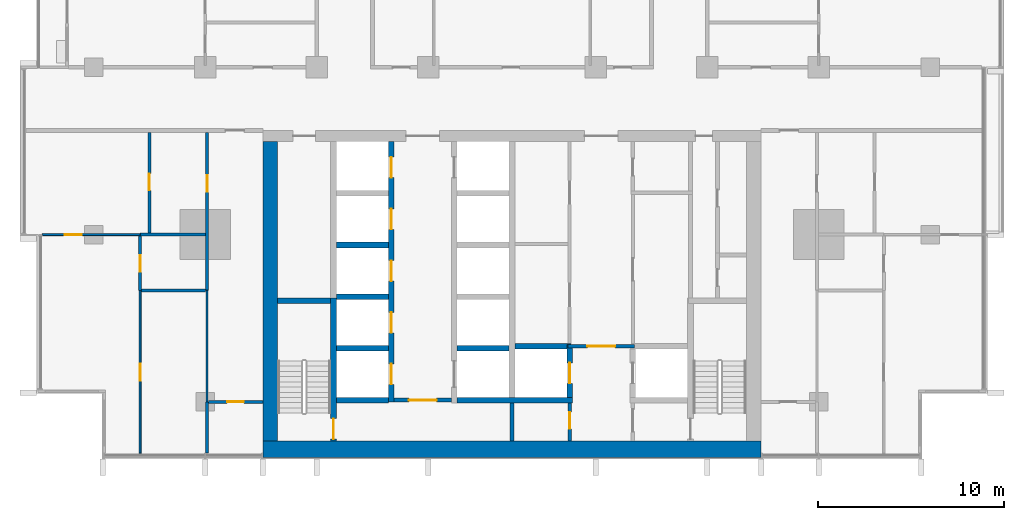
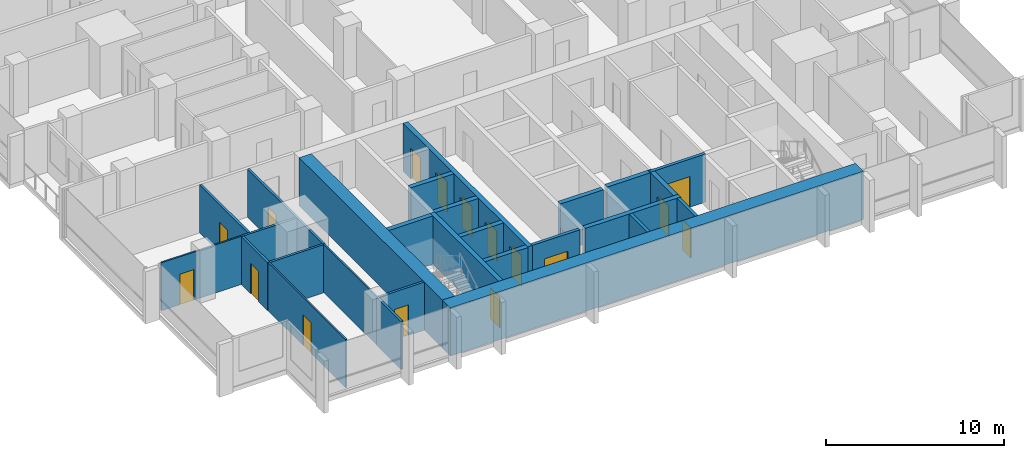
# One storey, part 7 of 17: 27 walls, 16 doors, 16 openings.
"""IFC4 building model written with IfcOpenShell, lengths in metres."""

import ifcopenshell
import ifcopenshell.guid

model = None  # the IFC model being written
_history = None  # IfcOwnerHistory: only IFC2X3 demands one
_inside = {}  # id of a spatial element -> (the spatial element, [elements in it])
_under = {}  # id of a project, library or spatial element -> (it, [spatial elements below it])
_declared = {}  # id of a project -> (the project, [libraries it declares])
_typed = {}  # id of a type object -> (the type object, [elements of that type])
_made_of = {}  # id of a material, layer set ... -> (it, [elements and type objects made of it])


def new_model(schema):
    """Start an empty IFC model of exactly this schema.

    Asked for "IFC4X3", IfcOpenShell would pick the latest addendum, in which some entities
    have other attributes; the version numbers below select the first issue.
    IFC2X3 requires an IfcOwnerHistory on every rooted entity: one is made here for all.
    """
    global model, _history
    if schema == "IFC4X3":
        model = ifcopenshell.file(schema_version=(4, 3, 0, 0))
    else:
        model = ifcopenshell.file(schema=schema)
    _inside.clear()
    _under.clear()
    _declared.clear()
    _typed.clear()
    _made_of.clear()
    _history = None
    if model.schema == "IFC2X3":
        org = make("IfcOrganization", Name="unknown")
        user = make(
            "IfcPersonAndOrganization",
            ThePerson=make("IfcPerson", FamilyName="unknown"),
            TheOrganization=org,
        )
        app = make(
            "IfcApplication",
            ApplicationDeveloper=org,
            Version="unknown",
            ApplicationFullName="unknown",
            ApplicationIdentifier="unknown",
        )
        _history = make(
            "IfcOwnerHistory",
            OwningUser=user,
            OwningApplication=app,
            ChangeAction="ADDED",
            CreationDate=0,
        )
    return model


def make(cls, **values):
    """One entity of the class cls with the attributes given. An attribute that is None is left unset."""
    return model.create_entity(
        cls, **{name: value for name, value in values.items() if value is not None}
    )


def rooted(cls, **values):
    """An entity with a GlobalId (a new one), such as an element, a storey or a relation."""
    return make(cls, GlobalId=ifcopenshell.guid.new(), OwnerHistory=_history, **values)


def si_unit(unit_type, name, prefix=None):
    """IfcSIUnit, for example si_unit("LENGTHUNIT", "METRE", prefix="MILLI")."""
    return make("IfcSIUnit", UnitType=unit_type, Prefix=prefix, Name=name)


def assignment(units):
    """IfcUnitAssignment: the units of a project."""
    return None if units is None else make("IfcUnitAssignment", Units=units)


def point(xyz):
    """IfcCartesianPoint."""
    return None if xyz is None else make("IfcCartesianPoint", Coordinates=xyz)


def direction(xyz):
    """IfcDirection."""
    return None if xyz is None else make("IfcDirection", DirectionRatios=xyz)


def frame(location, z_axis=None, x_axis=None):
    """IfcAxis2Placement3D, a coordinate frame: its origin and axes. An axis left out is left unset."""
    return make(
        "IfcAxis2Placement3D",
        Location=point(location),
        Axis=direction(z_axis),
        RefDirection=direction(x_axis),
    )


def frame_2d(location, x_axis=None):
    """IfcAxis2Placement2D, a coordinate frame in the plane: its origin and x axis."""
    return make(
        "IfcAxis2Placement2D", Location=point(location), RefDirection=direction(x_axis)
    )


def origin():
    """The frame at (0, 0, 0) with its axes left unset."""
    return frame((0.0, 0.0, 0.0))


def place(relative_to, where):
    """IfcLocalPlacement: puts the frame where relative to a parent placement (None: the world)."""
    return make(
        "IfcLocalPlacement", PlacementRelTo=relative_to, RelativePlacement=where
    )


def context(
    kind, dimensions, precision=None, world=None, true_north=None, identifier=None
):
    """IfcGeometricRepresentationContext, for example the 3D "Model" context."""
    return make(
        "IfcGeometricRepresentationContext",
        ContextIdentifier=identifier,
        ContextType=kind,
        CoordinateSpaceDimension=dimensions,
        Precision=precision,
        WorldCoordinateSystem=world,
        TrueNorth=true_north,
    )


def subcontext(parent, identifier, kind, view, scale=None):
    """IfcGeometricRepresentationSubContext, for example "Body" below "Model"."""
    return make(
        "IfcGeometricRepresentationSubContext",
        ContextIdentifier=identifier,
        ContextType=kind,
        ParentContext=parent,
        TargetScale=scale,
        TargetView=view,
    )


def project(units=None, contexts=None):
    """IfcProject with its units and contexts."""
    return rooted(
        "IfcProject",
        Name="project",
        RepresentationContexts=contexts,
        UnitsInContext=assignment(units),
    )


def spatial(cls, under=None, at=None, **own):
    """A site, building, storey or space (cls), placed at a placement, below another one or the project."""
    s = rooted(cls, ObjectPlacement=at, **own)
    if under is not None:
        _under.setdefault(under.id(), (under, []))[1].append(s)
    return s


def profile(cls, at=None, kind="AREA", **sizes):
    """A parametric profile (cls). Its sizes go by their IFC names, for example OverallWidth=200.0."""
    return make(cls, ProfileType=kind, Position=at, **sizes)


def rectangle(**sizes):
    """IfcRectangleProfileDef."""
    return profile("IfcRectangleProfileDef", **sizes)


def extrude(swept, where, along, depth):
    """IfcExtrudedAreaSolid: the profile swept, set in the frame where, extruded along a direction by depth."""
    return make(
        "IfcExtrudedAreaSolid",
        SweptArea=swept,
        Position=where,
        ExtrudedDirection=direction(along),
        Depth=depth,
    )


def shape(context_of_items, identifier, shape_type, items):
    """IfcShapeRepresentation: the items that make up one representation, for example the "Body"."""
    return make(
        "IfcShapeRepresentation",
        ContextOfItems=context_of_items,
        RepresentationIdentifier=identifier,
        RepresentationType=shape_type,
        Items=items,
    )


def material(Name=None, Category=None):
    """IfcMaterial."""
    return make("IfcMaterial", Name=Name, Category=Category)


def layer(
    of_material, thickness, ventilated=None, Name=None, Category=None, Priority=None
):
    """IfcMaterialLayer: one layer of a wall or slab, of a material (None: an air gap)."""
    return make(
        "IfcMaterialLayer",
        Material=of_material,
        LayerThickness=thickness,
        IsVentilated=ventilated,
        Name=Name,
        Category=Category,
        Priority=Priority,
    )


def layer_set(layers, Name=None):
    """IfcMaterialLayerSet."""
    return make("IfcMaterialLayerSet", MaterialLayers=layers, LayerSetName=Name)


def made_of(thing, what):
    """Note that an element or type object is made of a material, layer set ...; save() writes the relation."""
    if what is not None:
        _made_of.setdefault(what.id(), (what, []))[1].append(thing)
    return thing


def type_object(cls, material=None, **own):
    """A type object (cls), such as IfcWallType, which elements share."""
    return made_of(rooted(cls, **own), material)


def element(
    cls,
    number,
    at=None,
    inside=None,
    cuts=None,
    type_object=None,
    material=None,
    context=None,
    identifier="Body",
    shape_type=None,
    held_by="IfcProductDefinitionShape",
    body=None,
    shapes=None,
    **own,
):
    """One element of the class cls, such as IfcWall. Its Tag is "e" and its number.

    at: its placement. inside: the storey or other place that contains it. cuts: it is an
    opening in that element (IfcRelVoidsElement). A single representation is given by context,
    identifier, shape_type and body (its items); several are given by shapes. held_by: the class
    of the entity that holds the representations. save() writes the other relations.
    """
    e = rooted(cls, Tag="e%d" % number, ObjectPlacement=at, **own)
    if body is not None:
        shapes = [shape(context, identifier, shape_type, body)]
    if shapes is not None:
        e.Representation = make(held_by, Representations=shapes)
    if inside is not None:
        _inside.setdefault(inside.id(), (inside, []))[1].append(e)
    if cuts is not None:
        rooted(
            "IfcRelVoidsElement", RelatingBuildingElement=cuts, RelatedOpeningElement=e
        )
    if type_object is not None:
        _typed.setdefault(type_object.id(), (type_object, []))[1].append(e)
    return made_of(e, material)


def fill(opening, filler):
    """IfcRelFillsElement: the door or window that sits in an opening."""
    return rooted(
        "IfcRelFillsElement",
        RelatingOpeningElement=opening,
        RelatedBuildingElement=filler,
    )


def aggregate(whole, parts):
    """IfcRelAggregates: a whole, such as a stair, and the parts it consists of."""
    return rooted("IfcRelAggregates", RelatingObject=whole, RelatedObjects=parts)


def save(model, path):
    """Write the relations noted so far, then the file.

    IfcRelAggregates (storeys below a building ...), IfcRelContainedInSpatialStructure (elements
    in a storey), IfcRelDefinesByType, IfcRelAssociatesMaterial and IfcRelDeclares: one each for
    every whole, place, type object, material and project.
    """
    for whole, parts in _under.values():
        aggregate(whole, parts)
    for where, things in _inside.values():
        rooted(
            "IfcRelContainedInSpatialStructure",
            RelatedElements=things,
            RelatingStructure=where,
        )
    for kind, things in _typed.values():
        rooted("IfcRelDefinesByType", RelatedObjects=things, RelatingType=kind)
    for what, things in _made_of.values():
        rooted("IfcRelAssociatesMaterial", RelatedObjects=things, RelatingMaterial=what)
    for by, libraries in _declared.values():
        rooted("IfcRelDeclares", RelatingContext=by, RelatedDefinitions=libraries)
    model.write(path)


model = new_model("IFC4")

# Units and contexts
model_context = context("Model", 3, precision=1e-05, world=origin(), true_north=direction((0.0, 1.0)))
body_context = subcontext(model_context, "Body", "Model", "MODEL_VIEW")
ifc_project = project(units=[si_unit("LENGTHUNIT", "METRE"), si_unit("AREAUNIT", "SQUARE_METRE"), si_unit("VOLUMEUNIT", "CUBIC_METRE"), si_unit("PLANEANGLEUNIT", "RADIAN"), si_unit("MASSUNIT", "GRAM", prefix="KILO")], contexts=[model_context])

# Site, building, storey
site_placement = place(None, origin())
site = spatial("IfcSite", under=ifc_project, at=site_placement, CompositionType="ELEMENT")
building_placement = place(site_placement, origin())
building = spatial("IfcBuilding", under=site, at=building_placement, Name="Finial Court Residences", CompositionType="ELEMENT")
storey_placement = place(building_placement, frame((0.0, 0.0, 113.5)))
storey = spatial("IfcBuildingStorey", under=building, at=storey_placement, Name="L28", CompositionType="ELEMENT", Elevation=113.5)

# Walls
ifc_material_1 = material(Name="Concrete C70/85", Category="concrete")
ifc_layer_1 = layer(ifc_material_1, 0.800048828125)
ifc_layer_set_1 = layer_set([ifc_layer_1], Name="Core outer wall 800 Concrete C70/85")
wall_type_1 = type_object("IfcWallType", Name="Core outer wall 800 Concrete C70/85", PredefinedType="SHEAR", material=ifc_layer_set_1)
wall_1_placement = place(storey_placement, frame((-13.0, -24.60009765625, 0.0), z_axis=(0.0, 0.0, 1.0), x_axis=(0.0, 1.0, 0.0)))
element("IfcWall", 1, at=wall_1_placement, inside=storey, type_object=wall_type_1, Name="Core outer wall L28-03", PredefinedType="SHEAR", context=body_context, shape_type="SweptSolid", body=[
    extrude(rectangle(XDim=16.10009765625, YDim=0.800048828125, at=frame_2d((8.050048828125, 0.0))), origin(), (0.0, 0.0, 1.0), 3.300048828125),
])
ifc_layer_2 = layer(ifc_material_1, 0.89990234375)
ifc_layer_set_2 = layer_set([ifc_layer_2], Name="Core south facade wall 900 Concrete C70/85")
wall_type_2 = type_object("IfcWallType", Name="Core south facade wall 900 Concrete C70/85", PredefinedType="SHEAR", material=ifc_layer_set_2)
wall_2_placement = place(storey_placement, frame((-13.39990234375, -25.050048828125, 0.0), z_axis=(0.0, 0.0, 1.0), x_axis=(1.0, 0.0, 0.0)))
element("IfcWall", 2, at=wall_2_placement, inside=storey, type_object=wall_type_2, Name="Core outer wall L28-01", PredefinedType="SHEAR", context=body_context, shape_type="SweptSolid", body=[
    extrude(rectangle(XDim=26.7998046875, YDim=0.89990234375, at=frame_2d((13.39990234375, 0.0))), origin(), (0.0, 0.0, 1.0), 3.300048828125),
])

# Wall, opening, door
ifc_material_2 = material(Name="Fire-rated gypsum board partition")
ifc_layer_3 = layer(ifc_material_2, 0.199951171875)
ifc_layer_set_3 = layer_set([ifc_layer_3], Name="Firefighting lobby wall 200 EI 120")
wall_type_3 = type_object("IfcWallType", Name="Firefighting lobby wall 200 EI 120", PredefinedType="PARTITIONING", material=ifc_layer_set_3)
wall_3_placement = place(storey_placement, frame((6.574951171875, -19.5, 0.0), z_axis=(0.0, 0.0, 1.0), x_axis=(-1.0, 0.0, 0.0)))
wall_3 = element("IfcWall", 3, at=wall_3_placement, inside=storey, type_object=wall_type_3, Name="Core partition L28-08", PredefinedType="PARTITIONING", context=body_context, shape_type="SweptSolid", body=[
    extrude(rectangle(XDim=3.550048828125, YDim=0.199951171875, at=frame_2d((1.77490234375, 0.0))), origin(), (0.0, 0.0, 1.0), 3.300048828125),
])
opening_1_placement = place(wall_3_placement, frame((1.02490234375, 0.0, 0.0)))
opening_1 = element("IfcOpeningElement", 4, at=opening_1_placement, cuts=wall_3, Name="Opening L28-C02", PredefinedType="OPENING", context=body_context, shape_type="SweptSolid", body=[
    extrude(rectangle(XDim=1.5, YDim=2.10009765625, at=frame_2d((0.75, 1.050048828125))), frame((0.0, 0.10986328125, 0.0), z_axis=(0.0, -1.0, 0.0), x_axis=(1.0, 0.0, 0.0)), (0.0, 0.0, 1.0), 0.219970703125),
])
ifc_material_3 = material(Name="Steel fire door", Category="steel")
door_type_1 = type_object("IfcDoorType", Name="Firefighting lobby door 1500 x 2100 EI 90", OperationType="DOUBLE_DOOR_SINGLE_SWING", PredefinedType="DOOR", material=ifc_material_3)
door_1_placement = place(opening_1_placement, origin())
door_1 = element("IfcDoor", 5, at=door_1_placement, inside=storey, type_object=door_type_1, Name="Firefighting lobby door L28-C02", OperationType="DOUBLE_DOOR_SINGLE_SWING", OverallHeight=2.10009765625, OverallWidth=1.5, PredefinedType="DOOR", context=body_context, shape_type="SweptSolid", body=[
    extrude(rectangle(XDim=1.5, YDim=2.10009765625, at=frame_2d((0.75, 1.050048828125))), frame((0.0, 0.02490234375, 0.0), z_axis=(0.0, -1.0, 0.0), x_axis=(1.0, 0.0, 0.0)), (0.0, 0.0, 1.0), 0.050048828125),
])
fill(opening_1, door_1)

wall_4_placement = place(storey_placement, frame((3.10009765625, -24.60009765625, 0.0), z_axis=(0.0, 0.0, 1.0), x_axis=(0.0, 1.0, 0.0)))
wall_4 = element("IfcWall", 6, at=wall_4_placement, inside=storey, type_object=wall_type_3, Name="Core partition L28-27", PredefinedType="PARTITIONING", context=body_context, shape_type="SweptSolid", body=[
    extrude(rectangle(XDim=2.050048828125, YDim=0.199951171875, at=frame_2d((1.02490234375, 0.0))), origin(), (0.0, 0.0, 1.0), 3.300048828125),
])
opening_2_placement = place(wall_4_placement, frame((0.64990234375, 0.0, 0.0)))
opening_2 = element("IfcOpeningElement", 7, at=opening_2_placement, cuts=wall_4, Name="Opening L28-C06", PredefinedType="OPENING", context=body_context, shape_type="SweptSolid", body=[
    extrude(rectangle(XDim=0.89990234375, YDim=2.10009765625, at=frame_2d((0.449951171875, 1.050048828125))), frame((0.0, 0.10986328125, 0.0), z_axis=(0.0, -1.0, 0.0), x_axis=(1.0, 0.0, 0.0)), (0.0, 0.0, 1.0), 0.219970703125),
])
door_type_2 = type_object("IfcDoorType", Name="Riser room door 900 x 2100 EI 90", OperationType="NOTDEFINED", PredefinedType="DOOR", material=ifc_material_3)
door_2_placement = place(opening_2_placement, origin())
door_2 = element("IfcDoor", 8, at=door_2_placement, inside=storey, type_object=door_type_2, Name="Riser room door L28-C06", OperationType="SINGLE_SWING_LEFT", OverallHeight=2.10009765625, OverallWidth=0.89990234375, PredefinedType="DOOR", context=body_context, shape_type="SweptSolid", body=[
    extrude(rectangle(XDim=0.89990234375, YDim=2.10009765625, at=frame_2d((0.449951171875, 1.050048828125))), frame((0.0, 0.02490234375, 0.0), z_axis=(0.0, -1.0, 0.0), x_axis=(1.0, 0.0, 0.0)), (0.0, 0.0, 1.0), 0.050048828125),
])
fill(opening_2, door_2)

ifc_material_4 = material(Name="Gypsum board")
ifc_layer_4 = layer(ifc_material_4, 0.012451171875)
ifc_material_5 = material(Name="Mineral wool in light-gauge frame")
ifc_layer_5 = layer(ifc_material_5, 0.074951171875)
ifc_layer_6 = layer(ifc_material_4, 0.012451171875)
ifc_layer_set_4 = layer_set([ifc_layer_4, ifc_layer_5, ifc_layer_6], Name="Gypsum board partition 100")
wall_type_4 = type_object("IfcWallType", Name="Gypsum board partition 100", PredefinedType="PARTITIONING", material=ifc_layer_set_4)
wall_5_placement = place(storey_placement, frame((-25.25, -13.5, 0.0), z_axis=(0.0, 0.0, 1.0), x_axis=(1.0, 0.0, 0.0)))
wall_5 = element("IfcWall", 9, at=wall_5_placement, inside=storey, type_object=wall_type_4, Name="Partition L28-004", PredefinedType="PARTITIONING", context=body_context, shape_type="SweptSolid", body=[
    extrude(rectangle(XDim=5.25, YDim=0.10009765625, at=frame_2d((2.625, 0.0))), origin(), (0.0, 0.0, 1.0), 3.300048828125),
])
opening_3_placement = place(wall_5_placement, frame((1.199951171875, 0.0, 0.0)))
opening_3 = element("IfcOpeningElement", 10, at=opening_3_placement, cuts=wall_5, Name="Opening L28-D003", PredefinedType="OPENING", context=body_context, shape_type="SweptSolid", body=[
    extrude(rectangle(XDim=0.89990234375, YDim=2.10009765625, at=frame_2d((0.449951171875, 1.050048828125))), frame((0.0, 0.06005859375, 0.0), z_axis=(0.0, -1.0, 0.0), x_axis=(1.0, 0.0, 0.0)), (0.0, 0.0, 1.0), 0.1201171875),
])
ifc_material_6 = material(Name="Timber door leaf in timber frame", Category="wood")
door_type_3 = type_object("IfcDoorType", Name="Door set 900 x 2100", OperationType="SINGLE_SWING_LEFT", PredefinedType="DOOR", material=ifc_material_6)
door_3_placement = place(opening_3_placement, origin())
door_3 = element("IfcDoor", 11, at=door_3_placement, inside=storey, type_object=door_type_3, Name="Door L28-D003", OperationType="SINGLE_SWING_LEFT", OverallHeight=2.10009765625, OverallWidth=0.89990234375, PredefinedType="DOOR", context=body_context, shape_type="SweptSolid", body=[
    extrude(rectangle(XDim=0.89990234375, YDim=2.10009765625, at=frame_2d((0.449951171875, 1.050048828125))), frame((0.0, 0.02490234375, 0.0), z_axis=(0.0, -1.0, 0.0), x_axis=(1.0, 0.0, 0.0)), (0.0, 0.0, 1.0), 0.050048828125),
])
fill(opening_3, door_3)

wall_6_placement = place(storey_placement, frame((-20.0, -25.25, 0.0), z_axis=(0.0, 0.0, 1.0), x_axis=(0.0, 1.0, 0.0)))
wall_6 = element("IfcWall", 12, at=wall_6_placement, inside=storey, type_object=wall_type_4, Name="Partition L28-038", PredefinedType="PARTITIONING", context=body_context, shape_type="SweptSolid", body=[
    extrude(rectangle(XDim=8.75, YDim=0.10009765625, at=frame_2d((4.375, 0.0))), origin(), (0.0, 0.0, 1.0), 3.300048828125),
])
opening_4_placement = place(wall_6_placement, frame((3.89990234375, 0.0, 0.0)))
opening_4 = element("IfcOpeningElement", 13, at=opening_4_placement, cuts=wall_6, Name="Opening L28-D024", PredefinedType="OPENING", context=body_context, shape_type="SweptSolid", body=[
    extrude(rectangle(XDim=0.89990234375, YDim=2.10009765625, at=frame_2d((0.449951171875, 1.050048828125))), frame((0.0, 0.06005859375, 0.0), z_axis=(0.0, -1.0, 0.0), x_axis=(1.0, 0.0, 0.0)), (0.0, 0.0, 1.0), 0.1201171875),
])
door_4_placement = place(opening_4_placement, origin())
door_4 = element("IfcDoor", 14, at=door_4_placement, inside=storey, type_object=door_type_3, Name="Door L28-D024", OperationType="SINGLE_SWING_RIGHT", OverallHeight=2.10009765625, OverallWidth=0.89990234375, PredefinedType="DOOR", context=body_context, shape_type="SweptSolid", body=[
    extrude(rectangle(XDim=0.89990234375, YDim=2.10009765625, at=frame_2d((0.449951171875, 1.050048828125))), frame((0.0, 0.02490234375, 0.0), z_axis=(0.0, -1.0, 0.0), x_axis=(1.0, 0.0, 0.0)), (0.0, 0.0, 1.0), 0.050048828125),
])
fill(opening_4, door_4)

# Wall
wall_7_placement = place(storey_placement, frame((-16.39990234375, -22.5, 0.0), z_axis=(0.0, 0.0, 1.0), x_axis=(0.0, 1.0, 0.0)))
element("IfcWall", 15, at=wall_7_placement, inside=storey, type_object=wall_type_4, Name="Partition L28-046", PredefinedType="PARTITIONING", context=body_context, shape_type="SweptSolid", body=[
    extrude(rectangle(XDim=6.0, YDim=0.10009765625, at=frame_2d((3.0, 0.0))), origin(), (0.0, 0.0, 1.0), 3.300048828125),
])

# Wall, opening, door
ifc_material_7 = material(Name="Moisture-resistant gypsum board")
ifc_layer_7 = layer(ifc_material_7, 0.012451171875)
ifc_layer_8 = layer(ifc_material_5, 0.125)
ifc_layer_9 = layer(ifc_material_7, 0.012451171875)
ifc_layer_set_5 = layer_set([ifc_layer_7, ifc_layer_8, ifc_layer_9], Name="Gypsum board wet-area partition 150")
wall_type_5 = type_object("IfcWallType", Name="Gypsum board wet-area partition 150", PredefinedType="PARTITIONING", material=ifc_layer_set_5)
wall_8_placement = place(storey_placement, frame((-16.324951171875, -22.5, 0.0), z_axis=(0.0, 0.0, 1.0), x_axis=(1.0, 0.0, 0.0)))
wall_8 = element("IfcWall", 16, at=wall_8_placement, inside=storey, type_object=wall_type_5, Name="Partition L28-000", PredefinedType="PARTITIONING", context=body_context, shape_type="SweptSolid", body=[
    extrude(rectangle(XDim=2.925048828125, YDim=0.14990234375, at=frame_2d((1.46240234375, 0.0))), origin(), (0.0, 0.0, 1.0), 3.300048828125),
])
opening_5_placement = place(wall_8_placement, frame((1.0, 0.0, 0.0)))
opening_5 = element("IfcOpeningElement", 17, at=opening_5_placement, cuts=wall_8, Name="Opening L28-D001", PredefinedType="OPENING", context=body_context, shape_type="SweptSolid", body=[
    extrude(rectangle(XDim=0.89990234375, YDim=2.10009765625, at=frame_2d((0.449951171875, 1.050048828125))), frame((0.0, 0.0849609375, 0.0), z_axis=(0.0, -1.0, 0.0), x_axis=(1.0, 0.0, 0.0)), (0.0, 0.0, 1.0), 0.169921875),
])
door_5_placement = place(opening_5_placement, origin())
door_5 = element("IfcDoor", 18, at=door_5_placement, inside=storey, type_object=door_type_3, Name="Door L28-D001", OperationType="SINGLE_SWING_LEFT", OverallHeight=2.10009765625, OverallWidth=0.89990234375, PredefinedType="DOOR", context=body_context, shape_type="SweptSolid", body=[
    extrude(rectangle(XDim=0.89990234375, YDim=2.10009765625, at=frame_2d((0.449951171875, 1.050048828125))), frame((0.0, 0.02490234375, 0.0), z_axis=(0.0, -1.0, 0.0), x_axis=(1.0, 0.0, 0.0)), (0.0, 0.0, 1.0), 0.050048828125),
])
fill(opening_5, door_5)

# Walls
wall_9_placement = place(storey_placement, frame((-19.925048828125, -16.5, 0.0), z_axis=(0.0, 0.0, 1.0), x_axis=(1.0, 0.0, 0.0)))
element("IfcWall", 19, at=wall_9_placement, inside=storey, type_object=wall_type_5, Name="Partition L28-002", PredefinedType="PARTITIONING", context=body_context, shape_type="SweptSolid", body=[
    extrude(rectangle(XDim=3.449951171875, YDim=0.14990234375, at=frame_2d((1.72509765625, 0.0))), origin(), (0.0, 0.0, 1.0), 3.300048828125),
])
wall_10_placement = place(storey_placement, frame((-20.0, -13.5, 0.0), z_axis=(0.0, 0.0, 1.0), x_axis=(1.0, 0.0, 0.0)))
element("IfcWall", 20, at=wall_10_placement, inside=storey, type_object=wall_type_5, Name="Partition L28-006", PredefinedType="PARTITIONING", context=body_context, shape_type="SweptSolid", body=[
    extrude(rectangle(XDim=3.52490234375, YDim=0.14990234375, at=frame_2d((1.762451171875, 0.0))), origin(), (0.0, 0.0, 1.0), 3.300048828125),
])

# Wall, opening, door
wall_11_placement = place(storey_placement, frame((-20.0, -16.5, 0.0), z_axis=(0.0, 0.0, 1.0), x_axis=(0.0, 1.0, 0.0)))
wall_11 = element("IfcWall", 21, at=wall_11_placement, inside=storey, type_object=wall_type_5, Name="Partition L28-039", PredefinedType="PARTITIONING", context=body_context, shape_type="SweptSolid", body=[
    extrude(rectangle(XDim=2.925048828125, YDim=0.14990234375, at=frame_2d((1.46240234375, 0.0))), origin(), (0.0, 0.0, 1.0), 3.300048828125),
])
opening_6_placement = place(wall_11_placement, frame((1.0, 0.0, 0.0)))
opening_6 = element("IfcOpeningElement", 22, at=opening_6_placement, cuts=wall_11, Name="Opening L28-D025", PredefinedType="OPENING", context=body_context, shape_type="SweptSolid", body=[
    extrude(rectangle(XDim=0.89990234375, YDim=2.10009765625, at=frame_2d((0.449951171875, 1.050048828125))), frame((0.0, 0.0849609375, 0.0), z_axis=(0.0, -1.0, 0.0), x_axis=(1.0, 0.0, 0.0)), (0.0, 0.0, 1.0), 0.169921875),
])
door_6_placement = place(opening_6_placement, origin())
door_6 = element("IfcDoor", 23, at=door_6_placement, inside=storey, type_object=door_type_3, Name="Door L28-D025", OperationType="SINGLE_SWING_RIGHT", OverallHeight=2.10009765625, OverallWidth=0.89990234375, PredefinedType="DOOR", context=body_context, shape_type="SweptSolid", body=[
    extrude(rectangle(XDim=0.89990234375, YDim=2.10009765625, at=frame_2d((0.449951171875, 1.050048828125))), frame((0.0, 0.02490234375, 0.0), z_axis=(0.0, -1.0, 0.0), x_axis=(1.0, 0.0, 0.0)), (0.0, 0.0, 1.0), 0.050048828125),
])
fill(opening_6, door_6)

wall_12_placement = place(storey_placement, frame((-19.5, -13.425048828125, 0.0), z_axis=(0.0, 0.0, 1.0), x_axis=(0.0, 1.0, 0.0)))
wall_12 = element("IfcWall", 24, at=wall_12_placement, inside=storey, type_object=wall_type_5, Name="Partition L28-040", PredefinedType="PARTITIONING", context=body_context, shape_type="SweptSolid", body=[
    extrude(rectangle(XDim=5.425048828125, YDim=0.14990234375, at=frame_2d((2.71240234375, 0.0))), origin(), (0.0, 0.0, 1.0), 3.300048828125),
])
opening_7_placement = place(wall_12_placement, frame((2.300048828125, 0.0, 0.0)))
opening_7 = element("IfcOpeningElement", 25, at=opening_7_placement, cuts=wall_12, Name="Opening L28-D026", PredefinedType="OPENING", context=body_context, shape_type="SweptSolid", body=[
    extrude(rectangle(XDim=0.89990234375, YDim=2.10009765625, at=frame_2d((0.449951171875, 1.050048828125))), frame((0.0, 0.0849609375, 0.0), z_axis=(0.0, -1.0, 0.0), x_axis=(1.0, 0.0, 0.0)), (0.0, 0.0, 1.0), 0.169921875),
])
door_7_placement = place(opening_7_placement, origin())
door_7 = element("IfcDoor", 26, at=door_7_placement, inside=storey, type_object=door_type_3, Name="Door L28-D026", OperationType="SINGLE_SWING_LEFT", OverallHeight=2.10009765625, OverallWidth=0.89990234375, PredefinedType="DOOR", context=body_context, shape_type="SweptSolid", body=[
    extrude(rectangle(XDim=0.89990234375, YDim=2.10009765625, at=frame_2d((0.449951171875, 1.050048828125))), frame((0.0, 0.02490234375, 0.0), z_axis=(0.0, -1.0, 0.0), x_axis=(1.0, 0.0, 0.0)), (0.0, 0.0, 1.0), 0.050048828125),
])
fill(opening_7, door_7)

# Wall
wall_13_placement = place(storey_placement, frame((-16.39990234375, -25.25, 0.0), z_axis=(0.0, 0.0, 1.0), x_axis=(0.0, 1.0, 0.0)))
element("IfcWall", 27, at=wall_13_placement, inside=storey, type_object=wall_type_5, Name="Partition L28-047", PredefinedType="PARTITIONING", context=body_context, shape_type="SweptSolid", body=[
    extrude(rectangle(XDim=2.75, YDim=0.14990234375, at=frame_2d((1.375, 0.0))), origin(), (0.0, 0.0, 1.0), 3.300048828125),
])

# Wall, opening, door
wall_14_placement = place(storey_placement, frame((-16.39990234375, -16.5, 0.0), z_axis=(0.0, 0.0, 1.0), x_axis=(0.0, 1.0, 0.0)))
wall_14 = element("IfcWall", 28, at=wall_14_placement, inside=storey, type_object=wall_type_5, Name="Partition L28-048", PredefinedType="PARTITIONING", context=body_context, shape_type="SweptSolid", body=[
    extrude(rectangle(XDim=8.5, YDim=0.14990234375, at=frame_2d((4.25, 0.0))), origin(), (0.0, 0.0, 1.0), 3.300048828125),
])
opening_8_placement = place(wall_14_placement, frame((5.300048828125, 0.0, 0.0)))
opening_8 = element("IfcOpeningElement", 29, at=opening_8_placement, cuts=wall_14, Name="Opening L28-D032", PredefinedType="OPENING", context=body_context, shape_type="SweptSolid", body=[
    extrude(rectangle(XDim=0.89990234375, YDim=2.10009765625, at=frame_2d((0.449951171875, 1.050048828125))), frame((0.0, 0.0849609375, 0.0), z_axis=(0.0, -1.0, 0.0), x_axis=(1.0, 0.0, 0.0)), (0.0, 0.0, 1.0), 0.169921875),
])
door_8_placement = place(opening_8_placement, origin())
door_8 = element("IfcDoor", 30, at=door_8_placement, inside=storey, type_object=door_type_3, Name="Door L28-D032", OperationType="SINGLE_SWING_LEFT", OverallHeight=2.10009765625, OverallWidth=0.89990234375, PredefinedType="DOOR", context=body_context, shape_type="SweptSolid", body=[
    extrude(rectangle(XDim=0.89990234375, YDim=2.10009765625, at=frame_2d((0.449951171875, 1.050048828125))), frame((0.0, 0.02490234375, 0.0), z_axis=(0.0, -1.0, 0.0), x_axis=(1.0, 0.0, 0.0)), (0.0, 0.0, 1.0), 0.050048828125),
])
fill(opening_8, door_8)

# Walls
ifc_layer_10 = layer(ifc_material_1, 0.300048828125)
ifc_layer_set_6 = layer_set([ifc_layer_10], Name="Lift shaft and stair wall 300 Concrete C70/85")
wall_type_6 = type_object("IfcWallType", Name="Lift shaft and stair wall 300 Concrete C70/85", PredefinedType="SHEAR", material=ifc_layer_set_6)
wall_15_placement = place(storey_placement, frame((-9.449951171875, -22.39990234375, 0.0), z_axis=(0.0, 0.0, 1.0), x_axis=(1.0, 0.0, 0.0)))
element("IfcWall", 31, at=wall_15_placement, inside=storey, type_object=wall_type_6, Name="Core wall L28-01", PredefinedType="SHEAR", context=body_context, shape_type="SweptSolid", body=[
    extrude(rectangle(XDim=2.800048828125, YDim=0.300048828125, at=frame_2d((1.39990234375, 0.0))), origin(), (0.0, 0.0, 1.0), 3.300048828125),
])
wall_16_placement = place(storey_placement, frame((-2.949951171875, -22.39990234375, 0.0), z_axis=(0.0, 0.0, 1.0), x_axis=(1.0, 0.0, 0.0)))
element("IfcWall", 32, at=wall_16_placement, inside=storey, type_object=wall_type_6, Name="Core wall L28-03", PredefinedType="SHEAR", context=body_context, shape_type="SweptSolid", body=[
    extrude(rectangle(XDim=6.199951171875, YDim=0.300048828125, at=frame_2d((3.10009765625, 0.0))), origin(), (0.0, 0.0, 1.0), 3.300048828125),
])
for number, where, z_axis, x_axis, name in (
    (33, (-9.449951171875, -19.6201171875, 0.0), (0.0, 0.0, 1.0), (1.0, 0.0, 0.0), "Core wall L28-05"),
    (34, (-2.949951171875, -19.6201171875, 0.0), (0.0, 0.0, 1.0), (1.0, 0.0, 0.0), "Core wall L28-06"),
):
    element("IfcWall", number, at=place(storey_placement, frame(where, z_axis=z_axis, x_axis=x_axis)), inside=storey, type_object=wall_type_6, Name=name, PredefinedType="SHEAR", context=body_context, shape_type="SweptSolid", body=[
        extrude(rectangle(XDim=2.800048828125, YDim=0.300048828125, at=frame_2d((1.39990234375, 0.0))), origin(), (0.0, 0.0, 1.0), 3.300048828125),
    ])
wall_17_placement = place(storey_placement, frame((0.14990234375, -19.5, 0.0), z_axis=(0.0, 0.0, 1.0), x_axis=(1.0, 0.0, 0.0)))
element("IfcWall", 35, at=wall_17_placement, inside=storey, type_object=wall_type_6, Name="Core wall L28-07", PredefinedType="SHEAR", context=body_context, shape_type="SweptSolid", body=[
    extrude(rectangle(XDim=3.025146484375, YDim=0.300048828125, at=frame_2d((1.5126953125, 0.0))), origin(), (0.0, 0.0, 1.0), 3.300048828125),
])
wall_18_placement = place(storey_placement, frame((-12.60009765625, -17.050048828125, 0.0), z_axis=(0.0, 0.0, 1.0), x_axis=(1.0, 0.0, 0.0)))
element("IfcWall", 36, at=wall_18_placement, inside=storey, type_object=wall_type_6, Name="Core wall L28-10", PredefinedType="SHEAR", context=body_context, shape_type="SweptSolid", body=[
    extrude(rectangle(XDim=2.85009765625, YDim=0.300048828125, at=frame_2d((1.425048828125, 0.0))), origin(), (0.0, 0.0, 1.0), 3.300048828125),
])
for number, where, z_axis, x_axis, name in (
    (37, (-9.449951171875, -16.840087890625, 0.0), (0.0, 0.0, 1.0), (1.0, 0.0, 0.0), "Core wall L28-12"),
    (38, (-9.449951171875, -14.06005859375, 0.0), (0.0, 0.0, 1.0), (1.0, 0.0, 0.0), "Core wall L28-15"),
):
    element("IfcWall", number, at=place(storey_placement, frame(where, z_axis=z_axis, x_axis=x_axis)), inside=storey, type_object=wall_type_6, Name=name, PredefinedType="SHEAR", context=body_context, shape_type="SweptSolid", body=[
        extrude(rectangle(XDim=2.800048828125, YDim=0.300048828125, at=frame_2d((1.39990234375, 0.0))), origin(), (0.0, 0.0, 1.0), 3.300048828125),
    ])

# Wall, opening, door
wall_19_placement = place(storey_placement, frame((-9.60009765625, -24.60009765625, 0.0), z_axis=(0.0, 0.0, 1.0), x_axis=(0.0, 1.0, 0.0)))
wall_19 = element("IfcWall", 39, at=wall_19_placement, inside=storey, type_object=wall_type_6, Name="Core wall L28-21", PredefinedType="SHEAR", context=body_context, shape_type="SweptSolid", body=[
    extrude(rectangle(XDim=7.7001953125, YDim=0.300048828125, at=frame_2d((3.85009765625, 0.0))), origin(), (0.0, 0.0, 1.0), 3.300048828125),
])
opening_9_placement = place(wall_19_placement, frame((0.10009765625, 0.0, 0.0)))
opening_9 = element("IfcOpeningElement", 40, at=opening_9_placement, cuts=wall_19, Name="Opening L28-C15", PredefinedType="OPENING", context=body_context, shape_type="SweptSolid", body=[
    extrude(rectangle(XDim=1.10009765625, YDim=2.10009765625, at=frame_2d((0.550048828125, 1.050048828125))), frame((0.0, 0.159912109375, 0.0), z_axis=(0.0, -1.0, 0.0), x_axis=(1.0, 0.0, 0.0)), (0.0, 0.0, 1.0), 0.320068359375),
])
door_type_4 = type_object("IfcDoorType", Name="Stair door 1100 x 2100 EI 90", OperationType="NOTDEFINED", PredefinedType="DOOR", material=ifc_material_3)
door_9_placement = place(opening_9_placement, origin())
door_9 = element("IfcDoor", 41, at=door_9_placement, inside=storey, type_object=door_type_4, Name="Stair door L28-C15", OperationType="SINGLE_SWING_LEFT", OverallHeight=2.10009765625, OverallWidth=1.10009765625, PredefinedType="DOOR", context=body_context, shape_type="SweptSolid", body=[
    extrude(rectangle(XDim=1.10009765625, YDim=2.10009765625, at=frame_2d((0.550048828125, 1.050048828125))), frame((0.0, 0.02490234375, 0.0), z_axis=(0.0, -1.0, 0.0), x_axis=(1.0, 0.0, 0.0)), (0.0, 0.0, 1.0), 0.050048828125),
])
fill(opening_9, door_9)

# Wall, openings, doors
wall_20_placement = place(storey_placement, frame((-6.5, -22.5, 0.0), z_axis=(0.0, 0.0, 1.0), x_axis=(0.0, 1.0, 0.0)))
wall_20 = element("IfcWall", 42, at=wall_20_placement, inside=storey, type_object=wall_type_6, Name="Core wall L28-23", PredefinedType="SHEAR", context=body_context, shape_type="SweptSolid", body=[
    extrude(rectangle(XDim=14.0, YDim=0.300048828125, at=frame_2d((7.0, 0.0))), origin(), (0.0, 0.0, 1.0), 3.300048828125),
])
opening_10_placement = place(wall_20_placement, frame((0.93994140625, 0.0, 0.0)))
opening_10 = element("IfcOpeningElement", 43, at=opening_10_placement, cuts=wall_20, Name="Opening L28-LD03", PredefinedType="OPENING", context=body_context, shape_type="SweptSolid", body=[
    extrude(rectangle(XDim=1.10009765625, YDim=2.10009765625, at=frame_2d((0.550048828125, 1.050048828125))), frame((0.0, 0.159912109375, 0.0), z_axis=(0.0, -1.0, 0.0), x_axis=(1.0, 0.0, 0.0)), (0.0, 0.0, 1.0), 0.320068359375),
])
opening_11_placement = place(wall_20_placement, frame((3.719970703125, 0.0, 0.0)))
opening_11 = element("IfcOpeningElement", 44, at=opening_11_placement, cuts=wall_20, Name="Opening L28-LD04", PredefinedType="OPENING", context=body_context, shape_type="SweptSolid", body=[
    extrude(rectangle(XDim=1.10009765625, YDim=2.10009765625, at=frame_2d((0.550048828125, 1.050048828125))), frame((0.0, 0.159912109375, 0.0), z_axis=(0.0, -1.0, 0.0), x_axis=(1.0, 0.0, 0.0)), (0.0, 0.0, 1.0), 0.320068359375),
])
opening_12_placement = place(wall_20_placement, frame((6.5, 0.0, 0.0)))
opening_12 = element("IfcOpeningElement", 45, at=opening_12_placement, cuts=wall_20, Name="Opening L28-LD05", PredefinedType="OPENING", context=body_context, shape_type="SweptSolid", body=[
    extrude(rectangle(XDim=1.10009765625, YDim=2.10009765625, at=frame_2d((0.550048828125, 1.050048828125))), frame((0.0, 0.159912109375, 0.0), z_axis=(0.0, -1.0, 0.0), x_axis=(1.0, 0.0, 0.0)), (0.0, 0.0, 1.0), 0.320068359375),
])
opening_13_placement = place(wall_20_placement, frame((9.280029296875, 0.0, 0.0)))
opening_13 = element("IfcOpeningElement", 46, at=opening_13_placement, cuts=wall_20, Name="Opening L28-LD06", PredefinedType="OPENING", context=body_context, shape_type="SweptSolid", body=[
    extrude(rectangle(XDim=1.10009765625, YDim=2.10009765625, at=frame_2d((0.550048828125, 1.050048828125))), frame((0.0, 0.159912109375, 0.0), z_axis=(0.0, -1.0, 0.0), x_axis=(1.0, 0.0, 0.0)), (0.0, 0.0, 1.0), 0.320068359375),
])
opening_14_placement = place(wall_20_placement, frame((12.06005859375, 0.0, 0.0)))
opening_14 = element("IfcOpeningElement", 47, at=opening_14_placement, cuts=wall_20, Name="Opening L28-LD07", PredefinedType="OPENING", context=body_context, shape_type="SweptSolid", body=[
    extrude(rectangle(XDim=1.10009765625, YDim=2.10009765625, at=frame_2d((0.550048828125, 1.050048828125))), frame((0.0, 0.159912109375, 0.0), z_axis=(0.0, -1.0, 0.0), x_axis=(1.0, 0.0, 0.0)), (0.0, 0.0, 1.0), 0.320068359375),
])
ifc_material_8 = material(Name="Stainless steel lift door", Category="steel")
door_type_5 = type_object("IfcDoorType", Name="Lift landing door 1100 x 2100 EI 90", OperationType="DOUBLE_DOOR_SLIDING", PredefinedType="DOOR", material=ifc_material_8)
door_10_placement = place(opening_10_placement, origin())
door_10 = element("IfcDoor", 48, at=door_10_placement, inside=storey, type_object=door_type_5, Name="Lift landing door LR1 L28", OperationType="DOUBLE_DOOR_SLIDING", OverallHeight=2.10009765625, OverallWidth=1.10009765625, PredefinedType="DOOR", context=body_context, shape_type="SweptSolid", body=[
    extrude(rectangle(XDim=1.10009765625, YDim=2.10009765625, at=frame_2d((0.550048828125, 1.050048828125))), frame((0.0, 0.02490234375, 0.0), z_axis=(0.0, -1.0, 0.0), x_axis=(1.0, 0.0, 0.0)), (0.0, 0.0, 1.0), 0.050048828125),
])
fill(opening_10, door_10)
door_11_placement = place(opening_11_placement, origin())
door_11 = element("IfcDoor", 49, at=door_11_placement, inside=storey, type_object=door_type_5, Name="Lift landing door LR2 L28", OperationType="DOUBLE_DOOR_SLIDING", OverallHeight=2.10009765625, OverallWidth=1.10009765625, PredefinedType="DOOR", context=body_context, shape_type="SweptSolid", body=[
    extrude(rectangle(XDim=1.10009765625, YDim=2.10009765625, at=frame_2d((0.550048828125, 1.050048828125))), frame((0.0, 0.02490234375, 0.0), z_axis=(0.0, -1.0, 0.0), x_axis=(1.0, 0.0, 0.0)), (0.0, 0.0, 1.0), 0.050048828125),
])
fill(opening_11, door_11)
door_12_placement = place(opening_12_placement, origin())
door_12 = element("IfcDoor", 50, at=door_12_placement, inside=storey, type_object=door_type_5, Name="Lift landing door LR3 L28", OperationType="DOUBLE_DOOR_SLIDING", OverallHeight=2.10009765625, OverallWidth=1.10009765625, PredefinedType="DOOR", context=body_context, shape_type="SweptSolid", body=[
    extrude(rectangle(XDim=1.10009765625, YDim=2.10009765625, at=frame_2d((0.550048828125, 1.050048828125))), frame((0.0, 0.02490234375, 0.0), z_axis=(0.0, -1.0, 0.0), x_axis=(1.0, 0.0, 0.0)), (0.0, 0.0, 1.0), 0.050048828125),
])
fill(opening_12, door_12)
door_13_placement = place(opening_13_placement, origin())
door_13 = element("IfcDoor", 51, at=door_13_placement, inside=storey, type_object=door_type_5, Name="Lift landing door LR4 L28", OperationType="DOUBLE_DOOR_SLIDING", OverallHeight=2.10009765625, OverallWidth=1.10009765625, PredefinedType="DOOR", context=body_context, shape_type="SweptSolid", body=[
    extrude(rectangle(XDim=1.10009765625, YDim=2.10009765625, at=frame_2d((0.550048828125, 1.050048828125))), frame((0.0, 0.02490234375, 0.0), z_axis=(0.0, -1.0, 0.0), x_axis=(1.0, 0.0, 0.0)), (0.0, 0.0, 1.0), 0.050048828125),
])
fill(opening_13, door_13)
door_14_placement = place(opening_14_placement, origin())
door_14 = element("IfcDoor", 52, at=door_14_placement, inside=storey, type_object=door_type_5, Name="Lift landing door LR5 L28", OperationType="DOUBLE_DOOR_SLIDING", OverallHeight=2.10009765625, OverallWidth=1.10009765625, PredefinedType="DOOR", context=body_context, shape_type="SweptSolid", body=[
    extrude(rectangle(XDim=1.10009765625, YDim=2.10009765625, at=frame_2d((0.550048828125, 1.050048828125))), frame((0.0, 0.02490234375, 0.0), z_axis=(0.0, -1.0, 0.0), x_axis=(1.0, 0.0, 0.0)), (0.0, 0.0, 1.0), 0.050048828125),
])
fill(opening_14, door_14)

# Wall, opening, door
wall_21_placement = place(storey_placement, frame((3.10009765625, -22.25, 0.0), z_axis=(0.0, 0.0, 1.0), x_axis=(0.0, 1.0, 0.0)))
wall_21 = element("IfcWall", 53, at=wall_21_placement, inside=storey, type_object=wall_type_6, Name="Core wall L28-28", PredefinedType="SHEAR", context=body_context, shape_type="SweptSolid", body=[
    extrude(rectangle(XDim=2.85009765625, YDim=0.300048828125, at=frame_2d((1.425048828125, 0.0))), origin(), (0.0, 0.0, 1.0), 3.300048828125),
])
opening_15_placement = place(wall_21_placement, frame((0.75, 0.0, 0.0)))
opening_15 = element("IfcOpeningElement", 54, at=opening_15_placement, cuts=wall_21, Name="Opening L28-LD01", PredefinedType="OPENING", context=body_context, shape_type="SweptSolid", body=[
    extrude(rectangle(XDim=1.10009765625, YDim=2.10009765625, at=frame_2d((0.550048828125, 1.050048828125))), frame((0.0, 0.159912109375, 0.0), z_axis=(0.0, -1.0, 0.0), x_axis=(1.0, 0.0, 0.0)), (0.0, 0.0, 1.0), 0.320068359375),
])
door_15_placement = place(opening_15_placement, origin())
door_15 = element("IfcDoor", 55, at=door_15_placement, inside=storey, type_object=door_type_5, Name="Lift landing door FF1 L28", OperationType="DOUBLE_DOOR_SLIDING", OverallHeight=2.10009765625, OverallWidth=1.10009765625, PredefinedType="DOOR", context=body_context, shape_type="SweptSolid", body=[
    extrude(rectangle(XDim=1.10009765625, YDim=2.10009765625, at=frame_2d((0.550048828125, 1.050048828125))), frame((0.0, 0.02490234375, 0.0), z_axis=(0.0, -1.0, 0.0), x_axis=(1.0, 0.0, 0.0)), (0.0, 0.0, 1.0), 0.050048828125),
])
fill(opening_15, door_15)

# Wall
ifc_layer_11 = layer(ifc_material_2, 0.199951171875)
ifc_layer_set_7 = layer_set([ifc_layer_11], Name="Riser room wall 200 EI 120")
wall_type_7 = type_object("IfcWallType", Name="Riser room wall 200 EI 120", PredefinedType="PARTITIONING", material=ifc_layer_set_7)
wall_22_placement = place(storey_placement, frame((0.0, -24.60009765625, 0.0), z_axis=(0.0, 0.0, 1.0), x_axis=(0.0, 1.0, 0.0)))
element("IfcWall", 56, at=wall_22_placement, inside=storey, type_object=wall_type_7, Name="Core partition L28-25", PredefinedType="PARTITIONING", context=body_context, shape_type="SweptSolid", body=[
    extrude(rectangle(XDim=2.050048828125, YDim=0.199951171875, at=frame_2d((1.02490234375, 0.0))), origin(), (0.0, 0.0, 1.0), 3.300048828125),
])

# Wall, opening, door
ifc_layer_12 = layer(ifc_material_2, 0.199951171875)
ifc_layer_set_8 = layer_set([ifc_layer_12], Name="Stair passage wall 200 EI 180")
wall_type_8 = type_object("IfcWallType", Name="Stair passage wall 200 EI 180", PredefinedType="PARTITIONING", material=ifc_layer_set_8)
wall_23_placement = place(storey_placement, frame((-3.25, -22.39990234375, 0.0), z_axis=(0.0, 0.0, 1.0), x_axis=(-1.0, 0.0, 0.0)))
wall_23 = element("IfcWall", 57, at=wall_23_placement, inside=storey, type_object=wall_type_8, Name="Core partition L28-02", PredefinedType="PARTITIONING", context=body_context, shape_type="SweptSolid", body=[
    extrude(rectangle(XDim=3.10009765625, YDim=0.199951171875, at=frame_2d((1.550048828125, 0.0))), origin(), (0.0, 0.0, 1.0), 3.300048828125),
])
opening_16_placement = place(wall_23_placement, frame((0.800048828125, 0.0, 0.0)))
opening_16 = element("IfcOpeningElement", 58, at=opening_16_placement, cuts=wall_23, Name="Opening L28-C03", PredefinedType="OPENING", context=body_context, shape_type="SweptSolid", body=[
    extrude(rectangle(XDim=1.5, YDim=2.10009765625, at=frame_2d((0.75, 1.050048828125))), frame((0.0, 0.10986328125, 0.0), z_axis=(0.0, -1.0, 0.0), x_axis=(1.0, 0.0, 0.0)), (0.0, 0.0, 1.0), 0.219970703125),
])
door_type_6 = type_object("IfcDoorType", Name="Lift lobby door 1500 x 2100 EI 60", OperationType="DOUBLE_DOOR_SINGLE_SWING", PredefinedType="DOOR", material=ifc_material_3)
door_16_placement = place(opening_16_placement, origin())
door_16 = element("IfcDoor", 59, at=door_16_placement, inside=storey, type_object=door_type_6, Name="Lift lobby door L28-C03", OperationType="DOUBLE_DOOR_SINGLE_SWING", OverallHeight=2.10009765625, OverallWidth=1.5, PredefinedType="DOOR", context=body_context, shape_type="SweptSolid", body=[
    extrude(rectangle(XDim=1.5, YDim=2.10009765625, at=frame_2d((0.75, 1.050048828125))), frame((0.0, 0.02490234375, 0.0), z_axis=(0.0, -1.0, 0.0), x_axis=(1.0, 0.0, 0.0)), (0.0, 0.0, 1.0), 0.050048828125),
])
fill(opening_16, door_16)

save(model, "model.ifc")
